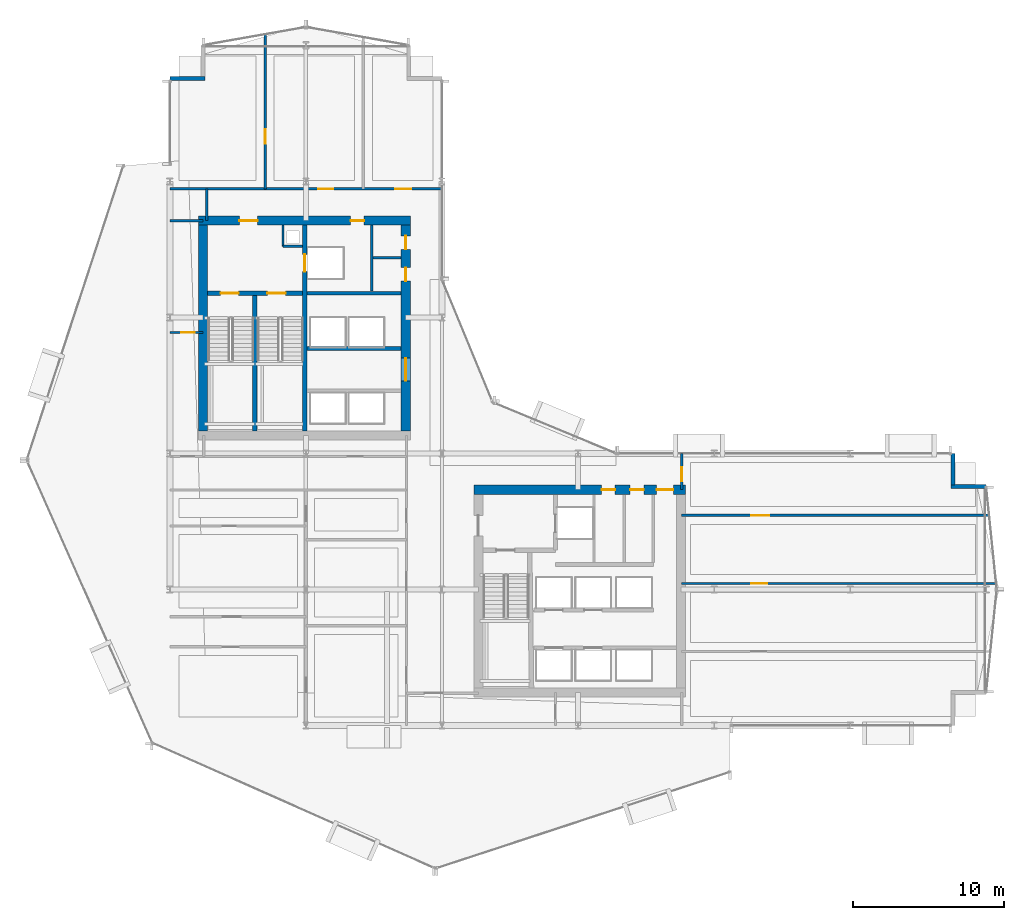
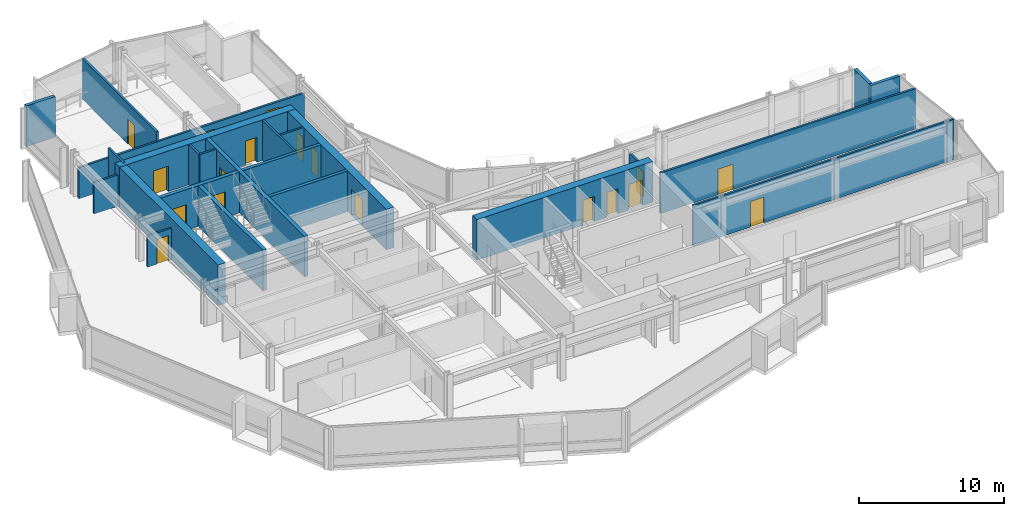
# One storey, part 28 of 34: 24 walls, 18 doors, 18 openings.
"""IFC4 building model written with IfcOpenShell, lengths in metres."""

from ifc_helpers import new_model, si_unit, direction, frame, frame_2d, origin, place, context, subcontext, project, spatial, rectangle, extrude, material, layer, layer_set, type_object, element, fill, save


model = new_model("IFC4")

# Units and contexts
model_context = context("Model", 3, precision=1e-05, world=origin(), true_north=direction((0.0, 1.0)))
body_context = subcontext(model_context, "Body", "Model", "MODEL_VIEW")
ifc_project = project(units=[si_unit("LENGTHUNIT", "METRE"), si_unit("AREAUNIT", "SQUARE_METRE"), si_unit("VOLUMEUNIT", "CUBIC_METRE"), si_unit("PLANEANGLEUNIT", "RADIAN"), si_unit("MASSUNIT", "GRAM", prefix="KILO")], contexts=[model_context])

# Site, building, storey
site_placement = place(None, origin())
site = spatial("IfcSite", under=ifc_project, at=site_placement, CompositionType="ELEMENT")
building_placement = place(site_placement, origin())
building = spatial("IfcBuilding", under=site, at=building_placement, Name="Solvaryn Broadcast Tower", CompositionType="ELEMENT")
storey_placement = place(building_placement, frame((0.0, 0.0, 92.800048828125)))
storey = spatial("IfcBuildingStorey", under=building, at=storey_placement, Name="L22", CompositionType="ELEMENT", Elevation=92.800048828125)

# Wall, openings, doors
ifc_material_1 = material(Name="Concrete f'c 70 MPa", Category="concrete")
ifc_layer_1 = layer(ifc_material_1, 0.60009765625)
ifc_layer_set_1 = layer_set([ifc_layer_1], Name="CW-SHEAR-600")
wall_type_1 = type_object("IfcWallType", Name="CW-SHEAR-600", PredefinedType="SHEAR", material=ifc_layer_set_1)
wall_1_placement = place(storey_placement, frame((24.89990234375, 42.39990234375, 0.0), z_axis=(0.0, 0.0, 1.0), x_axis=(-1.0, 0.0, 0.0)))
wall_1 = element("IfcWall", 1, at=wall_1_placement, inside=storey, type_object=wall_type_1, Name="L22 West Core North Shear Wall", PredefinedType="SHEAR", context=body_context, shape_type="SweptSolid", body=[
    extrude(rectangle(XDim=14.0, YDim=0.60009765625, at=frame_2d((7.0, 0.0))), origin(), (0.0, 0.0, 1.0), 3.419921875),
])
opening_1_placement = place(wall_1_placement, frame((10.10009765625, 0.0, 0.0)))
opening_1 = element("IfcOpeningElement", 2, at=opening_1_placement, cuts=wall_1, Name="Opening FD90A", PredefinedType="OPENING", context=body_context, shape_type="SweptSolid", body=[
    extrude(rectangle(XDim=1.199951171875, YDim=2.14990234375, at=frame_2d((0.60009765625, 1.074951171875))), frame((0.0, 0.31005859375, 0.0), z_axis=(0.0, -1.0, 0.0), x_axis=(1.0, 0.0, 0.0)), (0.0, 0.0, 1.0), 0.6201171875),
])
opening_2_placement = place(wall_1_placement, frame((3.050048828125, 0.0, 0.0)))
opening_2 = element("IfcOpeningElement", 3, at=opening_2_placement, cuts=wall_1, Name="Opening FD60C", PredefinedType="OPENING", context=body_context, shape_type="SweptSolid", body=[
    extrude(rectangle(XDim=0.89990234375, YDim=2.10009765625, at=frame_2d((0.449951171875, 1.050048828125))), frame((0.0, 0.31005859375, 0.0), z_axis=(0.0, -1.0, 0.0), x_axis=(1.0, 0.0, 0.0)), (0.0, 0.0, 1.0), 0.6201171875),
])
ifc_material_2 = material(Name="Flush Acoustic Steel and Timber Door Assembly", Category="steel")
door_type_1 = type_object("IfcDoorType", Name="FD60-SERV-900X2100", OperationType="NOTDEFINED", PredefinedType="DOOR", material=ifc_material_2)
door_1_placement = place(opening_2_placement, origin())
door_1 = element("IfcDoor", 4, at=door_1_placement, inside=storey, type_object=door_type_1, Name="L22 West Core Fiber Riser Door", OperationType="SINGLE_SWING_RIGHT", OverallHeight=2.10009765625, OverallWidth=0.89990234375, PredefinedType="DOOR", context=body_context, shape_type="SweptSolid", body=[
    extrude(rectangle(XDim=0.89990234375, YDim=2.10009765625, at=frame_2d((0.449951171875, 1.050048828125))), frame((0.0, 0.02490234375, 0.0), z_axis=(0.0, -1.0, 0.0), x_axis=(1.0, 0.0, 0.0)), (0.0, 0.0, 1.0), 0.050048828125),
])
fill(opening_2, door_1)
ifc_material_3 = material(Name="Flush Acoustic Steel and Timber Door Assembly", Category="steel")
door_type_2 = type_object("IfcDoorType", Name="FD90-STAIR-1200X2150", OperationType="NOTDEFINED", PredefinedType="DOOR", material=ifc_material_3)
door_2_placement = place(opening_1_placement, origin())
door_2 = element("IfcDoor", 5, at=door_2_placement, inside=storey, type_object=door_type_2, Name="L22 West FSAE Lobby Corridor Door", OperationType="SINGLE_SWING_LEFT", OverallHeight=2.14990234375, OverallWidth=1.199951171875, PredefinedType="DOOR", context=body_context, shape_type="SweptSolid", body=[
    extrude(rectangle(XDim=1.199951171875, YDim=2.14990234375, at=frame_2d((0.60009765625, 1.074951171875))), frame((0.0, 0.02490234375, 0.0), z_axis=(0.0, -1.0, 0.0), x_axis=(1.0, 0.0, 0.0)), (0.0, 0.0, 1.0), 0.050048828125),
])
fill(opening_1, door_2)

# Wall
wall_2_placement = place(storey_placement, frame((11.199951171875, 42.10009765625, 0.0), z_axis=(0.0, 0.0, 1.0), x_axis=(0.0, -1.0, 0.0)))
element("IfcWall", 6, at=wall_2_placement, inside=storey, type_object=wall_type_1, Name="L22 West Core West Shear Wall", PredefinedType="SHEAR", context=body_context, shape_type="SweptSolid", body=[
    extrude(rectangle(XDim=13.60009765625, YDim=0.60009765625, at=frame_2d((6.800048828125, 0.0))), origin(), (0.0, 0.0, 1.0), 3.419921875),
])

# Wall, openings, doors
wall_3_placement = place(storey_placement, frame((24.60009765625, 28.5, 0.0), z_axis=(0.0, 0.0, 1.0), x_axis=(0.0, 1.0, 0.0)))
wall_3 = element("IfcWall", 7, at=wall_3_placement, inside=storey, type_object=wall_type_1, Name="L22 West Core East Shear Wall", PredefinedType="SHEAR", context=body_context, shape_type="SweptSolid", body=[
    extrude(rectangle(XDim=13.60009765625, YDim=0.60009765625, at=frame_2d((6.800048828125, 0.0))), origin(), (0.0, 0.0, 1.0), 3.419921875),
])
opening_3_placement = place(wall_3_placement, frame((3.300048828125, 0.0, 0.0)))
opening_3 = element("IfcOpeningElement", 8, at=opening_3_placement, cuts=wall_3, Name="Opening FD60A", PredefinedType="OPENING", context=body_context, shape_type="SweptSolid", body=[
    extrude(rectangle(XDim=1.5, YDim=2.199951171875, at=frame_2d((0.75, 1.10009765625))), frame((0.0, 0.31005859375, 0.0), z_axis=(0.0, -1.0, 0.0), x_axis=(1.0, 0.0, 0.0)), (0.0, 0.0, 1.0), 0.6201171875),
])
opening_4_placement = place(wall_3_placement, frame((9.89990234375, 0.0, 0.0)))
opening_4 = element("IfcOpeningElement", 9, at=opening_4_placement, cuts=wall_3, Name="Opening FD60C", PredefinedType="OPENING", context=body_context, shape_type="SweptSolid", body=[
    extrude(rectangle(XDim=0.89990234375, YDim=2.10009765625, at=frame_2d((0.449951171875, 1.050048828125))), frame((0.0, 0.31005859375, 0.0), z_axis=(0.0, -1.0, 0.0), x_axis=(1.0, 0.0, 0.0)), (0.0, 0.0, 1.0), 0.6201171875),
])
opening_5_placement = place(wall_3_placement, frame((12.0, 0.0, 0.0)))
opening_5 = element("IfcOpeningElement", 10, at=opening_5_placement, cuts=wall_3, Name="Opening FD60C", PredefinedType="OPENING", context=body_context, shape_type="SweptSolid", body=[
    extrude(rectangle(XDim=0.89990234375, YDim=2.10009765625, at=frame_2d((0.449951171875, 1.050048828125))), frame((0.0, 0.31005859375, 0.0), z_axis=(0.0, -1.0, 0.0), x_axis=(1.0, 0.0, 0.0)), (0.0, 0.0, 1.0), 0.6201171875),
])
ifc_material_4 = material(Name="Flush Acoustic Steel and Timber Door Assembly", Category="steel")
door_type_3 = type_object("IfcDoorType", Name="FD60-CORR-1500X2200", OperationType="NOTDEFINED", PredefinedType="DOOR", material=ifc_material_4)
door_3_placement = place(opening_3_placement, origin())
door_3 = element("IfcDoor", 11, at=door_3_placement, inside=storey, type_object=door_type_3, Name="L22 West Elevator Lobby Corridor Door", OperationType="DOUBLE_DOOR_SINGLE_SWING", OverallHeight=2.199951171875, OverallWidth=1.5, PredefinedType="DOOR", context=body_context, shape_type="SweptSolid", body=[
    extrude(rectangle(XDim=1.5, YDim=2.199951171875, at=frame_2d((0.75, 1.10009765625))), frame((0.0, 0.02490234375, 0.0), z_axis=(0.0, -1.0, 0.0), x_axis=(1.0, 0.0, 0.0)), (0.0, 0.0, 1.0), 0.050048828125),
])
fill(opening_3, door_3)
door_4_placement = place(opening_4_placement, origin())
door_4 = element("IfcDoor", 12, at=door_4_placement, inside=storey, type_object=door_type_1, Name="L22 West Core Service Door 1", OperationType="SINGLE_SWING_LEFT", OverallHeight=2.10009765625, OverallWidth=0.89990234375, PredefinedType="DOOR", context=body_context, shape_type="SweptSolid", body=[
    extrude(rectangle(XDim=0.89990234375, YDim=2.10009765625, at=frame_2d((0.449951171875, 1.050048828125))), frame((0.0, 0.02490234375, 0.0), z_axis=(0.0, -1.0, 0.0), x_axis=(1.0, 0.0, 0.0)), (0.0, 0.0, 1.0), 0.050048828125),
])
fill(opening_4, door_4)
door_5_placement = place(opening_5_placement, origin())
door_5 = element("IfcDoor", 13, at=door_5_placement, inside=storey, type_object=door_type_1, Name="L22 West Core Janitor Door", OperationType="SINGLE_SWING_RIGHT", OverallHeight=2.10009765625, OverallWidth=0.89990234375, PredefinedType="DOOR", context=body_context, shape_type="SweptSolid", body=[
    extrude(rectangle(XDim=0.89990234375, YDim=2.10009765625, at=frame_2d((0.449951171875, 1.050048828125))), frame((0.0, 0.02490234375, 0.0), z_axis=(0.0, -1.0, 0.0), x_axis=(1.0, 0.0, 0.0)), (0.0, 0.0, 1.0), 0.050048828125),
])
fill(opening_5, door_5)

wall_4_placement = place(storey_placement, frame((43.10009765625, 24.60009765625, 0.0), z_axis=(0.0, 0.0, 1.0), x_axis=(-1.0, 0.0, 0.0)))
wall_4 = element("IfcWall", 14, at=wall_4_placement, inside=storey, type_object=wall_type_1, Name="L22 East Core North Shear Wall", PredefinedType="SHEAR", context=body_context, shape_type="SweptSolid", body=[
    extrude(rectangle(XDim=14.0, YDim=0.60009765625, at=frame_2d((7.0, 0.0))), origin(), (0.0, 0.0, 1.0), 3.419921875),
])
opening_6_placement = place(wall_4_placement, frame((0.800048828125, 0.0, 0.0)))
opening_6 = element("IfcOpeningElement", 15, at=opening_6_placement, cuts=wall_4, Name="Opening FD90C", PredefinedType="OPENING", context=body_context, shape_type="SweptSolid", body=[
    extrude(rectangle(XDim=1.10009765625, YDim=2.14990234375, at=frame_2d((0.550048828125, 1.074951171875))), frame((0.0, 0.31005859375, 0.0), z_axis=(0.0, -1.0, 0.0), x_axis=(1.0, 0.0, 0.0)), (0.0, 0.0, 1.0), 0.6201171875),
])
opening_7_placement = place(wall_4_placement, frame((2.75, 0.0, 0.0)))
opening_7 = element("IfcOpeningElement", 16, at=opening_7_placement, cuts=wall_4, Name="Opening FD60C", PredefinedType="OPENING", context=body_context, shape_type="SweptSolid", body=[
    extrude(rectangle(XDim=0.89990234375, YDim=2.10009765625, at=frame_2d((0.449951171875, 1.050048828125))), frame((0.0, 0.31005859375, 0.0), z_axis=(0.0, -1.0, 0.0), x_axis=(1.0, 0.0, 0.0)), (0.0, 0.0, 1.0), 0.6201171875),
])
opening_8_placement = place(wall_4_placement, frame((4.64990234375, 0.0, 0.0)))
opening_8 = element("IfcOpeningElement", 17, at=opening_8_placement, cuts=wall_4, Name="Opening FD60C", PredefinedType="OPENING", context=body_context, shape_type="SweptSolid", body=[
    extrude(rectangle(XDim=0.89990234375, YDim=2.10009765625, at=frame_2d((0.449951171875, 1.050048828125))), frame((0.0, 0.31005859375, 0.0), z_axis=(0.0, -1.0, 0.0), x_axis=(1.0, 0.0, 0.0)), (0.0, 0.0, 1.0), 0.6201171875),
])
door_6_placement = place(opening_7_placement, origin())
door_6 = element("IfcDoor", 18, at=door_6_placement, inside=storey, type_object=door_type_1, Name="L22 Staff Restroom Door", OperationType="SINGLE_SWING_LEFT", OverallHeight=2.10009765625, OverallWidth=0.89990234375, PredefinedType="DOOR", context=body_context, shape_type="SweptSolid", body=[
    extrude(rectangle(XDim=0.89990234375, YDim=2.10009765625, at=frame_2d((0.449951171875, 1.050048828125))), frame((0.0, 0.02490234375, 0.0), z_axis=(0.0, -1.0, 0.0), x_axis=(1.0, 0.0, 0.0)), (0.0, 0.0, 1.0), 0.050048828125),
])
fill(opening_7, door_6)
door_7_placement = place(opening_8_placement, origin())
door_7 = element("IfcDoor", 19, at=door_7_placement, inside=storey, type_object=door_type_1, Name="L22 Accessible WC Door", OperationType="SINGLE_SWING_RIGHT", OverallHeight=2.10009765625, OverallWidth=0.89990234375, PredefinedType="DOOR", context=body_context, shape_type="SweptSolid", body=[
    extrude(rectangle(XDim=0.89990234375, YDim=2.10009765625, at=frame_2d((0.449951171875, 1.050048828125))), frame((0.0, 0.02490234375, 0.0), z_axis=(0.0, -1.0, 0.0), x_axis=(1.0, 0.0, 0.0)), (0.0, 0.0, 1.0), 0.050048828125),
])
fill(opening_8, door_7)
ifc_material_5 = material(Name="Flush Acoustic Steel and Timber Door Assembly", Category="steel")
door_type_4 = type_object("IfcDoorType", Name="FD90-PLANT-1100X2150", OperationType="NOTDEFINED", PredefinedType="DOOR", material=ifc_material_5)
door_8_placement = place(opening_6_placement, origin())
door_8 = element("IfcDoor", 20, at=door_8_placement, inside=storey, type_object=door_type_4, Name="L22 East Core Lobby Corridor Door", OperationType="SINGLE_SWING_LEFT", OverallHeight=2.14990234375, OverallWidth=1.10009765625, PredefinedType="DOOR", context=body_context, shape_type="SweptSolid", body=[
    extrude(rectangle(XDim=1.10009765625, YDim=2.14990234375, at=frame_2d((0.550048828125, 1.074951171875))), frame((0.0, 0.02490234375, 0.0), z_axis=(0.0, -1.0, 0.0), x_axis=(1.0, 0.0, 0.0)), (0.0, 0.0, 1.0), 0.050048828125),
])
fill(opening_6, door_8)

# Walls
ifc_material_6 = material(Name="Concrete f'c 50 MPa", Category="concrete")
ifc_layer_2 = layer(ifc_material_6, 0.260009765625)
ifc_layer_set_2 = layer_set([ifc_layer_2], Name="EW-PIER-260")
wall_type_2 = type_object("IfcWallType", Name="EW-PIER-260", PredefinedType="SOLIDWALL", material=ifc_layer_set_2)
for number, where, z_axis, x_axis, name in (
    (21, (9.0, 51.800048828125, 0.0), (0.0, 0.0, 1.0), (1.0, 0.0, 0.0), "L22 Notched Corner Pier Wall NNW1"),
    (22, (63.0, 24.800048828125, 0.0), (0.0, 0.0, 1.0), (-1.0, 0.0, 0.0), "L22 Notched Corner Pier Wall NEE1"),
):
    element("IfcWall", number, at=place(storey_placement, frame(where, z_axis=z_axis, x_axis=x_axis)), inside=storey, type_object=wall_type_2, Name=name, PredefinedType="SOLIDWALL", context=body_context, shape_type="SweptSolid", body=[
        extrude(rectangle(XDim=2.320068359375, YDim=0.260009765625, at=frame_2d((1.16015625, 0.0))), origin(), (0.0, 0.0, 1.0), 3.419921875),
    ])
wall_5_placement = place(storey_placement, frame((60.800048828125, 24.919921875, 0.0), z_axis=(0.0, 0.0, 1.0), x_axis=(0.0, 1.0, 0.0)))
element("IfcWall", 23, at=wall_5_placement, inside=storey, type_object=wall_type_2, Name="L22 Notched Corner Pier Wall NEE2", PredefinedType="SOLIDWALL", context=body_context, shape_type="SweptSolid", body=[
    extrude(rectangle(XDim=2.080078125, YDim=0.260009765625, at=frame_2d((1.0400390625, 0.0))), origin(), (0.0, 0.0, 1.0), 3.419921875),
])
ifc_material_7 = material(Name="Metal-Stud Service Core Partition")
ifc_layer_3 = layer(ifc_material_7, 0.14990234375)
ifc_layer_set_3 = layer_set([ifc_layer_3], Name="IW-PART-150")
wall_type_3 = type_object("IfcWallType", Name="IW-PART-150", PredefinedType="PARTITIONING", material=ifc_layer_set_3)
wall_6_placement = place(storey_placement, frame((16.47998046875, 40.699951171875, 0.0), z_axis=(0.0, 0.0, 1.0), x_axis=(1.0, 0.0, 0.0)))
element("IfcWall", 24, at=wall_6_placement, inside=storey, type_object=wall_type_3, Name="L22 West Core Riser Shaft South Wall", PredefinedType="PARTITIONING", context=body_context, shape_type="SweptSolid", body=[
    extrude(rectangle(XDim=1.2900390625, YDim=0.14990234375, at=frame_2d((0.64501953125, 0.0))), origin(), (0.0, 0.0, 1.0), 3.419921875),
])
wall_7_placement = place(storey_placement, frame((16.47998046875, 40.699951171875, 0.0), z_axis=(0.0, 0.0, 1.0), x_axis=(0.0, 1.0, 0.0)))
element("IfcWall", 25, at=wall_7_placement, inside=storey, type_object=wall_type_3, Name="L22 West Core Riser Shaft West Wall", PredefinedType="PARTITIONING", context=body_context, shape_type="SweptSolid", body=[
    extrude(rectangle(XDim=1.400146484375, YDim=0.14990234375, at=frame_2d((0.7001953125, 0.0))), origin(), (0.0, 0.0, 1.0), 3.419921875),
])
wall_8_placement = place(storey_placement, frame((22.35009765625, 37.72998046875, 0.0), z_axis=(0.0, 0.0, 1.0), x_axis=(0.0, 1.0, 0.0)))
element("IfcWall", 26, at=wall_8_placement, inside=storey, type_object=wall_type_3, Name="L22 Interior Partition IW-L22-CWS-V", PredefinedType="PARTITIONING", context=body_context, shape_type="SweptSolid", body=[
    extrude(rectangle(XDim=4.3701171875, YDim=0.14990234375, at=frame_2d((2.18505859375, 0.0))), origin(), (0.0, 0.0, 1.0), 3.419921875),
])
wall_9_placement = place(storey_placement, frame((22.429931640625, 39.949951171875, 0.0), z_axis=(0.0, 0.0, 1.0), x_axis=(1.0, 0.0, 0.0)))
element("IfcWall", 27, at=wall_9_placement, inside=storey, type_object=wall_type_3, Name="L22 Interior Partition IW-L22-CWS-H", PredefinedType="PARTITIONING", context=body_context, shape_type="SweptSolid", body=[
    extrude(rectangle(XDim=1.8701171875, YDim=0.14990234375, at=frame_2d((0.93505859375, 0.0))), origin(), (0.0, 0.0, 1.0), 3.419921875),
])

# Wall, opening, door
wall_10_placement = place(storey_placement, frame((9.0, 35.0, 0.0), z_axis=(0.0, 0.0, 1.0), x_axis=(1.0, 0.0, 0.0)))
wall_10 = element("IfcWall", 28, at=wall_10_placement, inside=storey, type_object=wall_type_3, Name="L22 Interior Partition IW-L22-WM-M", PredefinedType="PARTITIONING", context=body_context, shape_type="SweptSolid", body=[
    extrude(rectangle(XDim=2.199951171875, YDim=0.14990234375, at=frame_2d((1.10009765625, 0.0))), origin(), (0.0, 0.0, 1.0), 2.626953125),
])
opening_9_placement = place(wall_10_placement, frame((0.75, 0.0, 0.0)))
opening_9 = element("IfcOpeningElement", 29, at=opening_9_placement, cuts=wall_10, Name="Opening FD60C", PredefinedType="OPENING", context=body_context, shape_type="SweptSolid", body=[
    extrude(rectangle(XDim=0.89990234375, YDim=2.10009765625, at=frame_2d((0.449951171875, 1.050048828125))), frame((0.0, 0.0849609375, 0.0), z_axis=(0.0, -1.0, 0.0), x_axis=(1.0, 0.0, 0.0)), (0.0, 0.0, 1.0), 0.169921875),
])
door_9_placement = place(opening_9_placement, origin())
door_9 = element("IfcDoor", 30, at=door_9_placement, inside=storey, type_object=door_type_1, Name="L22 Door DR-L22-WM1", OperationType="SINGLE_SWING_LEFT", OverallHeight=2.10009765625, OverallWidth=0.89990234375, PredefinedType="DOOR", context=body_context, shape_type="SweptSolid", body=[
    extrude(rectangle(XDim=0.89990234375, YDim=2.10009765625, at=frame_2d((0.449951171875, 1.050048828125))), frame((0.0, 0.02490234375, 0.0), z_axis=(0.0, -1.0, 0.0), x_axis=(1.0, 0.0, 0.0)), (0.0, 0.0, 1.0), 0.050048828125),
])
fill(opening_9, door_9)

# Walls
ifc_material_8 = material(Name="Metal-Stud Gypsum Office Partition")
ifc_layer_4 = layer(ifc_material_8, 0.159912109375)
ifc_layer_set_4 = layer_set([ifc_layer_4], Name="IW-PART-160")
wall_type_4 = type_object("IfcWallType", Name="IW-PART-160", PredefinedType="PARTITIONING", material=ifc_layer_set_4)
wall_11_placement = place(storey_placement, frame((9.0, 42.39990234375, 0.0), z_axis=(0.0, 0.0, 1.0), x_axis=(1.0, 0.0, 0.0)))
element("IfcWall", 31, at=wall_11_placement, inside=storey, type_object=wall_type_4, Name="L22 Interior Partition IW-L22-WM-N", PredefinedType="PARTITIONING", context=body_context, shape_type="SweptSolid", body=[
    extrude(rectangle(XDim=2.199951171875, YDim=0.159912109375, at=frame_2d((1.10009765625, 0.0))), origin(), (0.0, 0.0, 1.0), 2.626953125),
])
wall_12_placement = place(storey_placement, frame((11.449951171875, 42.39990234375, 0.0), z_axis=(0.0, 0.0, 1.0), x_axis=(0.0, 1.0, 0.0)))
element("IfcWall", 32, at=wall_12_placement, inside=storey, type_object=wall_type_4, Name="L22 Interior Partition IW-L22-WM-E", PredefinedType="PARTITIONING", context=body_context, shape_type="SweptSolid", body=[
    extrude(rectangle(XDim=2.10009765625, YDim=0.159912109375, at=frame_2d((1.050048828125, 0.0))), origin(), (0.0, 0.0, 1.0), 3.419921875),
])

# Wall, openings, doors
wall_13_placement = place(storey_placement, frame((9.0, 44.5, 0.0), z_axis=(0.0, 0.0, 1.0), x_axis=(1.0, 0.0, 0.0)))
wall_13 = element("IfcWall", 33, at=wall_13_placement, inside=storey, type_object=wall_type_4, Name="L22 Interior Partition IW-L22-NW-SB", PredefinedType="PARTITIONING", context=body_context, shape_type="SweptSolid", body=[
    extrude(rectangle(XDim=18.0, YDim=0.159912109375, at=frame_2d((9.0, 0.0))), origin(), (0.0, 0.0, 1.0), 2.626953125),
])
opening_10_placement = place(wall_13_placement, frame((9.800048828125, 0.0, 0.0)))
opening_10 = element("IfcOpeningElement", 34, at=opening_10_placement, cuts=wall_13, Name="Opening ID02", PredefinedType="OPENING", context=body_context, shape_type="SweptSolid", body=[
    extrude(rectangle(XDim=1.0, YDim=2.10009765625, at=frame_2d((0.5, 1.050048828125))), frame((0.0, 0.090087890625, 0.0), z_axis=(0.0, -1.0, 0.0), x_axis=(1.0, 0.0, 0.0)), (0.0, 0.0, 1.0), 0.179931640625),
])
opening_11_placement = place(wall_13_placement, frame((14.89990234375, 0.0, 0.0)))
opening_11 = element("IfcOpeningElement", 35, at=opening_11_placement, cuts=wall_13, Name="Opening ID03", PredefinedType="OPENING", context=body_context, shape_type="SweptSolid", body=[
    extrude(rectangle(XDim=1.050048828125, YDim=2.14990234375, at=frame_2d((0.52490234375, 1.074951171875))), frame((0.0, 0.090087890625, 0.0), z_axis=(0.0, -1.0, 0.0), x_axis=(1.0, 0.0, 0.0)), (0.0, 0.0, 1.0), 0.179931640625),
])
ifc_material_9 = material(Name="Flush Acoustic Steel and Timber Door Assembly", Category="steel")
door_type_5 = type_object("IfcDoorType", Name="ID-02-1000X2100", OperationType="NOTDEFINED", PredefinedType="DOOR", material=ifc_material_9)
door_10_placement = place(opening_10_placement, origin())
door_10 = element("IfcDoor", 36, at=door_10_placement, inside=storey, type_object=door_type_5, Name="L22 Door DR-L22-NW-2", OperationType="SINGLE_SWING_RIGHT", OverallHeight=2.10009765625, OverallWidth=1.0, PredefinedType="DOOR", context=body_context, shape_type="SweptSolid", body=[
    extrude(rectangle(XDim=1.0, YDim=2.10009765625, at=frame_2d((0.5, 1.050048828125))), frame((0.0, 0.02490234375, 0.0), z_axis=(0.0, -1.0, 0.0), x_axis=(1.0, 0.0, 0.0)), (0.0, 0.0, 1.0), 0.050048828125),
])
fill(opening_10, door_10)
ifc_material_10 = material(Name="Flush Acoustic Steel and Timber Door Assembly", Category="steel")
door_type_6 = type_object("IfcDoorType", Name="ID-03-1050X2150", OperationType="NOTDEFINED", PredefinedType="DOOR", material=ifc_material_10)
door_11_placement = place(opening_11_placement, origin())
door_11 = element("IfcDoor", 37, at=door_11_placement, inside=storey, type_object=door_type_6, Name="L22 Door DR-L22-NW-3", OperationType="SINGLE_SWING_LEFT", OverallHeight=2.14990234375, OverallWidth=1.050048828125, PredefinedType="DOOR", context=body_context, shape_type="SweptSolid", body=[
    extrude(rectangle(XDim=1.050048828125, YDim=2.14990234375, at=frame_2d((0.52490234375, 1.074951171875))), frame((0.0, 0.02490234375, 0.0), z_axis=(0.0, -1.0, 0.0), x_axis=(1.0, 0.0, 0.0)), (0.0, 0.0, 1.0), 0.050048828125),
])
fill(opening_11, door_11)

# Wall, opening, door
wall_14_placement = place(storey_placement, frame((15.300048828125, 44.5, 0.0), z_axis=(0.0, 0.0, 1.0), x_axis=(0.0, 1.0, 0.0)))
wall_14 = element("IfcWall", 38, at=wall_14_placement, inside=storey, type_object=wall_type_4, Name="L22 Interior Partition IW-L22-NW-V1", PredefinedType="PARTITIONING", context=body_context, shape_type="SweptSolid", body=[
    extrude(rectangle(XDim=10.22412109375, YDim=0.159912109375, at=frame_2d((5.112060546875, 0.0))), origin(), (0.0, 0.0, 1.0), 3.419921875),
])
opening_12_placement = place(wall_14_placement, frame((3.0, 0.0, 0.0)))
opening_12 = element("IfcOpeningElement", 39, at=opening_12_placement, cuts=wall_14, Name="Opening ID01", PredefinedType="OPENING", context=body_context, shape_type="SweptSolid", body=[
    extrude(rectangle(XDim=0.949951171875, YDim=2.10009765625, at=frame_2d((0.47509765625, 1.050048828125))), frame((0.0, 0.090087890625, 0.0), z_axis=(0.0, -1.0, 0.0), x_axis=(1.0, 0.0, 0.0)), (0.0, 0.0, 1.0), 0.179931640625),
])
ifc_material_11 = material(Name="Flush Acoustic Steel and Timber Door Assembly", Category="steel")
door_type_7 = type_object("IfcDoorType", Name="ID-01-950X2100", OperationType="NOTDEFINED", PredefinedType="DOOR", material=ifc_material_11)
door_12_placement = place(opening_12_placement, origin())
door_12 = element("IfcDoor", 40, at=door_12_placement, inside=storey, type_object=door_type_7, Name="L22 Door DR-L22-NW-C1", OperationType="SINGLE_SWING_LEFT", OverallHeight=2.10009765625, OverallWidth=0.949951171875, PredefinedType="DOOR", context=body_context, shape_type="SweptSolid", body=[
    extrude(rectangle(XDim=0.949951171875, YDim=2.10009765625, at=frame_2d((0.47509765625, 1.050048828125))), frame((0.0, 0.02490234375, 0.0), z_axis=(0.0, -1.0, 0.0), x_axis=(1.0, 0.0, 0.0)), (0.0, 0.0, 1.0), 0.050048828125),
])
fill(opening_12, door_12)

wall_15_placement = place(storey_placement, frame((42.85009765625, 24.60009765625, 0.0), z_axis=(0.0, 0.0, 1.0), x_axis=(0.0, 1.0, 0.0)))
wall_15 = element("IfcWall", 41, at=wall_15_placement, inside=storey, type_object=wall_type_4, Name="L22 Interior Partition IW-L22-EW-BN", PredefinedType="PARTITIONING", context=body_context, shape_type="SweptSolid", body=[
    extrude(rectangle(XDim=2.39990234375, YDim=0.159912109375, at=frame_2d((1.199951171875, 0.0))), origin(), (0.0, 0.0, 1.0), 2.626953125),
])
opening_13_placement = place(wall_15_placement, frame((0.550048828125, 0.0, 0.0)))
opening_13 = element("IfcOpeningElement", 42, at=opening_13_placement, cuts=wall_15, Name="Opening ID01", PredefinedType="OPENING", context=body_context, shape_type="SweptSolid", body=[
    extrude(rectangle(XDim=0.949951171875, YDim=2.10009765625, at=frame_2d((0.47509765625, 1.050048828125))), frame((0.0, 0.090087890625, 0.0), z_axis=(0.0, -1.0, 0.0), x_axis=(1.0, 0.0, 0.0)), (0.0, 0.0, 1.0), 0.179931640625),
])
door_13_placement = place(opening_13_placement, origin())
door_13 = element("IfcDoor", 43, at=door_13_placement, inside=storey, type_object=door_type_7, Name="L22 Door DR-L22-EW0", OperationType="SINGLE_SWING_RIGHT", OverallHeight=2.10009765625, OverallWidth=0.949951171875, PredefinedType="DOOR", context=body_context, shape_type="SweptSolid", body=[
    extrude(rectangle(XDim=0.949951171875, YDim=2.10009765625, at=frame_2d((0.47509765625, 1.050048828125))), frame((0.0, 0.02490234375, 0.0), z_axis=(0.0, -1.0, 0.0), x_axis=(1.0, 0.0, 0.0)), (0.0, 0.0, 1.0), 0.050048828125),
])
fill(opening_13, door_13)

wall_16_placement = place(storey_placement, frame((42.85009765625, 18.39990234375, 0.0), z_axis=(0.0, 0.0, 1.0), x_axis=(1.0, 0.0, 0.0)))
wall_16 = element("IfcWall", 44, at=wall_16_placement, inside=storey, type_object=wall_type_4, Name="L22 Interior Partition IW-L22-EW-H2", PredefinedType="PARTITIONING", context=body_context, shape_type="SweptSolid", body=[
    extrude(rectangle(XDim=20.808837890625, YDim=0.159912109375, at=frame_2d((10.404296875, 0.0))), origin(), (0.0, 0.0, 1.0), 3.419921875),
])
opening_14_placement = place(wall_16_placement, frame((4.60009765625, 0.0, 0.0)))
opening_14 = element("IfcOpeningElement", 45, at=opening_14_placement, cuts=wall_16, Name="Opening ID03", PredefinedType="OPENING", context=body_context, shape_type="SweptSolid", body=[
    extrude(rectangle(XDim=1.050048828125, YDim=2.14990234375, at=frame_2d((0.52490234375, 1.074951171875))), frame((0.0, 0.090087890625, 0.0), z_axis=(0.0, -1.0, 0.0), x_axis=(1.0, 0.0, 0.0)), (0.0, 0.0, 1.0), 0.179931640625),
])
door_14_placement = place(opening_14_placement, origin())
door_14 = element("IfcDoor", 46, at=door_14_placement, inside=storey, type_object=door_type_6, Name="L22 Door DR-L22-EW-2", OperationType="SINGLE_SWING_RIGHT", OverallHeight=2.14990234375, OverallWidth=1.050048828125, PredefinedType="DOOR", context=body_context, shape_type="SweptSolid", body=[
    extrude(rectangle(XDim=1.050048828125, YDim=2.14990234375, at=frame_2d((0.52490234375, 1.074951171875))), frame((0.0, 0.02490234375, 0.0), z_axis=(0.0, -1.0, 0.0), x_axis=(1.0, 0.0, 0.0)), (0.0, 0.0, 1.0), 0.050048828125),
])
fill(opening_14, door_14)

wall_17_placement = place(storey_placement, frame((42.85009765625, 22.89990234375, 0.0), z_axis=(0.0, 0.0, 1.0), x_axis=(1.0, 0.0, 0.0)))
wall_17 = element("IfcWall", 47, at=wall_17_placement, inside=storey, type_object=wall_type_4, Name="L22 Interior Partition IW-L22-EW-H3", PredefinedType="PARTITIONING", context=body_context, shape_type="SweptSolid", body=[
    extrude(rectangle(XDim=20.345947265625, YDim=0.159912109375, at=frame_2d((10.1728515625, 0.0))), origin(), (0.0, 0.0, 1.0), 3.419921875),
])
opening_15_placement = place(wall_17_placement, frame((4.60009765625, 0.0, 0.0)))
opening_15 = element("IfcOpeningElement", 48, at=opening_15_placement, cuts=wall_17, Name="Opening ID04", PredefinedType="OPENING", context=body_context, shape_type="SweptSolid", body=[
    extrude(rectangle(XDim=1.199951171875, YDim=2.14990234375, at=frame_2d((0.60009765625, 1.074951171875))), frame((0.0, 0.090087890625, 0.0), z_axis=(0.0, -1.0, 0.0), x_axis=(1.0, 0.0, 0.0)), (0.0, 0.0, 1.0), 0.179931640625),
])
ifc_material_12 = material(Name="Flush Acoustic Steel and Timber Door Assembly", Category="steel")
door_type_8 = type_object("IfcDoorType", Name="ID-04-1200X2150", OperationType="NOTDEFINED", PredefinedType="DOOR", material=ifc_material_12)
door_15_placement = place(opening_15_placement, origin())
door_15 = element("IfcDoor", 49, at=door_15_placement, inside=storey, type_object=door_type_8, Name="L22 Door DR-L22-EW-3", OperationType="SINGLE_SWING_LEFT", OverallHeight=2.14990234375, OverallWidth=1.199951171875, PredefinedType="DOOR", context=body_context, shape_type="SweptSolid", body=[
    extrude(rectangle(XDim=1.199951171875, YDim=2.14990234375, at=frame_2d((0.60009765625, 1.074951171875))), frame((0.0, 0.02490234375, 0.0), z_axis=(0.0, -1.0, 0.0), x_axis=(1.0, 0.0, 0.0)), (0.0, 0.0, 1.0), 0.050048828125),
])
fill(opening_15, door_15)

# Walls
ifc_material_13 = material(Name="Concrete f'c 60 MPa", Category="concrete")
ifc_layer_5 = layer(ifc_material_13, 0.25)
ifc_layer_set_5 = layer_set([ifc_layer_5], Name="SW-SHAFT-250")
wall_type_5 = type_object("IfcWallType", Name="SW-SHAFT-250", PredefinedType="PARTITIONING", material=ifc_layer_set_5)
for number, where, z_axis, x_axis, name in (
    (50, (18.070068359375, 37.60009765625, 0.0), (0.0, 0.0, 1.0), (1.0, 0.0, 0.0), "L22 West Core FSAE Hoistway Front Wall"),
    (51, (24.300048828125, 33.949951171875, 0.0), (0.0, 0.0, 1.0), (-1.0, 0.0, 0.0), "L22 High-Rise Lift Bank North Wall"),
):
    element("IfcWall", number, at=place(storey_placement, frame(where, z_axis=z_axis, x_axis=x_axis)), inside=storey, type_object=wall_type_5, Name=name, PredefinedType="PARTITIONING", context=body_context, shape_type="SweptSolid", body=[
        extrude(rectangle(XDim=6.22998046875, YDim=0.25, at=frame_2d((3.114990234375, 0.0))), origin(), (0.0, 0.0, 1.0), 3.419921875),
    ])
ifc_material_14 = material(Name="Concrete f'c 70 MPa", Category="concrete")
ifc_layer_6 = layer(ifc_material_14, 0.300048828125)
ifc_layer_set_6 = layer_set([ifc_layer_6], Name="SW-SHAFT-300")
wall_type_6 = type_object("IfcWallType", Name="SW-SHAFT-300", PredefinedType="SHEAR", material=ifc_layer_set_6)
wall_18_placement = place(storey_placement, frame((14.6201171875, 28.5, 0.0), z_axis=(0.0, 0.0, 1.0), x_axis=(0.0, 1.0, 0.0)))
element("IfcWall", 52, at=wall_18_placement, inside=storey, type_object=wall_type_6, Name="L22 Stair 1-2 Dividing Wall", PredefinedType="SHEAR", context=body_context, shape_type="SweptSolid", body=[
    extrude(rectangle(XDim=8.949951171875, YDim=0.300048828125, at=frame_2d((4.47509765625, 0.0))), origin(), (0.0, 0.0, 1.0), 3.419921875),
])

# Wall, opening, door
wall_19_placement = place(storey_placement, frame((17.919921875, 42.10009765625, 0.0), z_axis=(0.0, 0.0, 1.0), x_axis=(0.0, -1.0, 0.0)))
wall_19 = element("IfcWall", 53, at=wall_19_placement, inside=storey, type_object=wall_type_6, Name="L22 West Core Stair-Lobby Shear Wall", PredefinedType="SHEAR", context=body_context, shape_type="SweptSolid", body=[
    extrude(rectangle(XDim=13.60009765625, YDim=0.300048828125, at=frame_2d((6.800048828125, 0.0))), origin(), (0.0, 0.0, 1.0), 3.419921875),
])
opening_16_placement = place(wall_19_placement, frame((1.925048828125, 0.0, 0.0)))
opening_16 = element("IfcOpeningElement", 54, at=opening_16_placement, cuts=wall_19, Name="Opening LD01", PredefinedType="OPENING", context=body_context, shape_type="SweptSolid", body=[
    extrude(rectangle(XDim=1.14990234375, YDim=2.14990234375, at=frame_2d((0.574951171875, 1.074951171875))), frame((0.0, 0.159912109375, 0.0), z_axis=(0.0, -1.0, 0.0), x_axis=(1.0, 0.0, 0.0)), (0.0, 0.0, 1.0), 0.320068359375),
])
ifc_material_15 = material(Name="Flush Acoustic Steel and Timber Door Assembly", Category="steel")
door_type_9 = type_object("IfcDoorType", Name="LD-LIFT-1150X2150", OperationType="NOTDEFINED", PredefinedType="DOOR", material=ifc_material_15)
door_16_placement = place(opening_16_placement, origin())
door_16 = element("IfcDoor", 55, at=door_16_placement, inside=storey, type_object=door_type_9, Name="L22 FL1 Lift Landing Door", OperationType="DOUBLE_DOOR_SLIDING", OverallHeight=2.14990234375, OverallWidth=1.14990234375, PredefinedType="DOOR", context=body_context, shape_type="SweptSolid", body=[
    extrude(rectangle(XDim=1.14990234375, YDim=2.14990234375, at=frame_2d((0.574951171875, 1.074951171875))), frame((0.0, 0.02490234375, 0.0), z_axis=(0.0, -1.0, 0.0), x_axis=(1.0, 0.0, 0.0)), (0.0, 0.0, 1.0), 0.050048828125),
])
fill(opening_16, door_16)

# Wall, openings, doors
wall_20_placement = place(storey_placement, frame((17.77001953125, 37.60009765625, 0.0), z_axis=(0.0, 0.0, 1.0), x_axis=(-1.0, 0.0, 0.0)))
wall_20 = element("IfcWall", 56, at=wall_20_placement, inside=storey, type_object=wall_type_6, Name="L22 West Core FSAE Lobby South Wall", PredefinedType="SHEAR", context=body_context, shape_type="SweptSolid", body=[
    extrude(rectangle(XDim=6.27001953125, YDim=0.300048828125, at=frame_2d((3.135009765625, 0.0))), origin(), (0.0, 0.0, 1.0), 3.419921875),
])
opening_17_placement = place(wall_20_placement, frame((4.219970703125, 0.0, 0.0)))
opening_17 = element("IfcOpeningElement", 57, at=opening_17_placement, cuts=wall_20, Name="Opening FD90A", PredefinedType="OPENING", context=body_context, shape_type="SweptSolid", body=[
    extrude(rectangle(XDim=1.199951171875, YDim=2.14990234375, at=frame_2d((0.60009765625, 1.074951171875))), frame((0.0, 0.159912109375, 0.0), z_axis=(0.0, -1.0, 0.0), x_axis=(1.0, 0.0, 0.0)), (0.0, 0.0, 1.0), 0.320068359375),
])
opening_18_placement = place(wall_20_placement, frame((1.1201171875, 0.0, 0.0)))
opening_18 = element("IfcOpeningElement", 58, at=opening_18_placement, cuts=wall_20, Name="Opening FD90A", PredefinedType="OPENING", context=body_context, shape_type="SweptSolid", body=[
    extrude(rectangle(XDim=1.199951171875, YDim=2.14990234375, at=frame_2d((0.60009765625, 1.074951171875))), frame((0.0, 0.159912109375, 0.0), z_axis=(0.0, -1.0, 0.0), x_axis=(1.0, 0.0, 0.0)), (0.0, 0.0, 1.0), 0.320068359375),
])
door_17_placement = place(opening_17_placement, origin())
door_17 = element("IfcDoor", 59, at=door_17_placement, inside=storey, type_object=door_type_2, Name="L22 Stair 1 Fire Door", OperationType="SINGLE_SWING_LEFT", OverallHeight=2.14990234375, OverallWidth=1.199951171875, PredefinedType="DOOR", context=body_context, shape_type="SweptSolid", body=[
    extrude(rectangle(XDim=1.199951171875, YDim=2.14990234375, at=frame_2d((0.60009765625, 1.074951171875))), frame((0.0, 0.02490234375, 0.0), z_axis=(0.0, -1.0, 0.0), x_axis=(1.0, 0.0, 0.0)), (0.0, 0.0, 1.0), 0.050048828125),
])
fill(opening_17, door_17)
door_18_placement = place(opening_18_placement, origin())
door_18 = element("IfcDoor", 60, at=door_18_placement, inside=storey, type_object=door_type_2, Name="L22 Stair 2 Fire Door", OperationType="SINGLE_SWING_RIGHT", OverallHeight=2.14990234375, OverallWidth=1.199951171875, PredefinedType="DOOR", context=body_context, shape_type="SweptSolid", body=[
    extrude(rectangle(XDim=1.199951171875, YDim=2.14990234375, at=frame_2d((0.60009765625, 1.074951171875))), frame((0.0, 0.02490234375, 0.0), z_axis=(0.0, -1.0, 0.0), x_axis=(1.0, 0.0, 0.0)), (0.0, 0.0, 1.0), 0.050048828125),
])
fill(opening_18, door_18)

save(model, "model.ifc")
